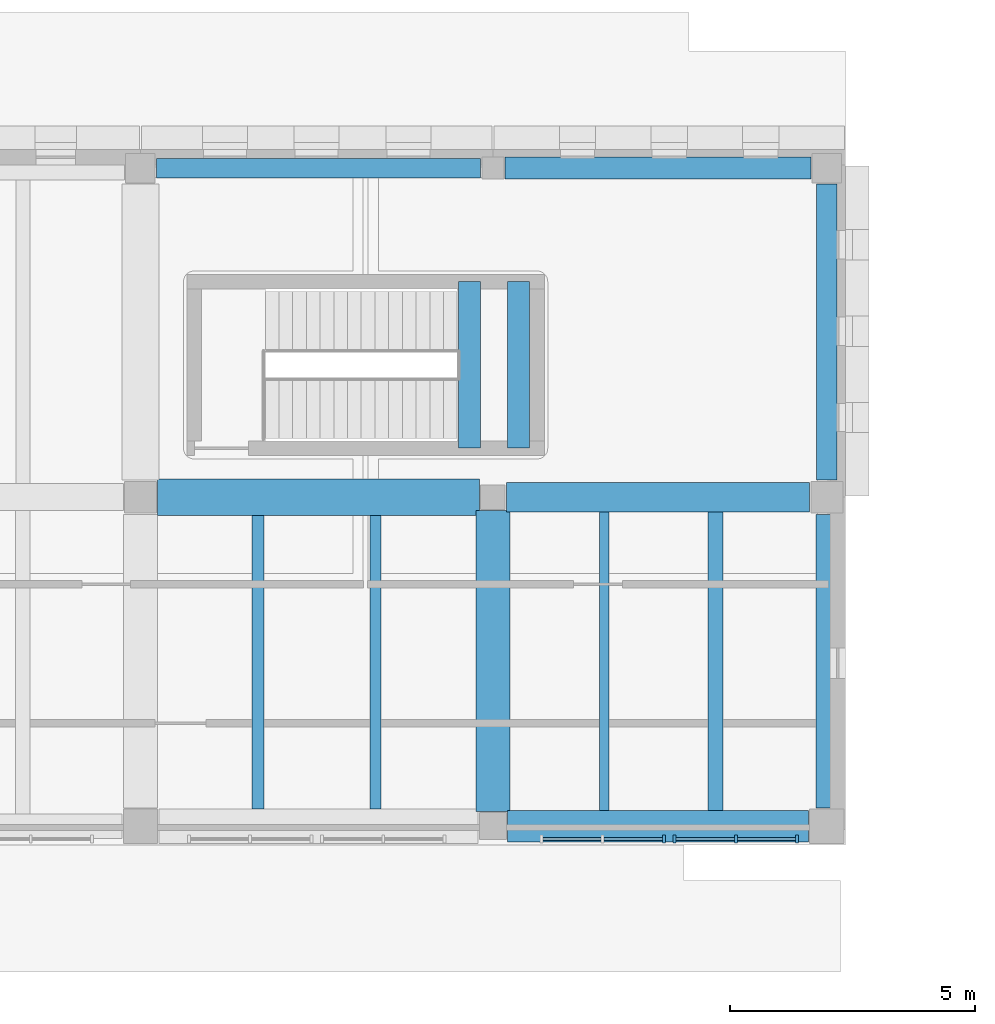
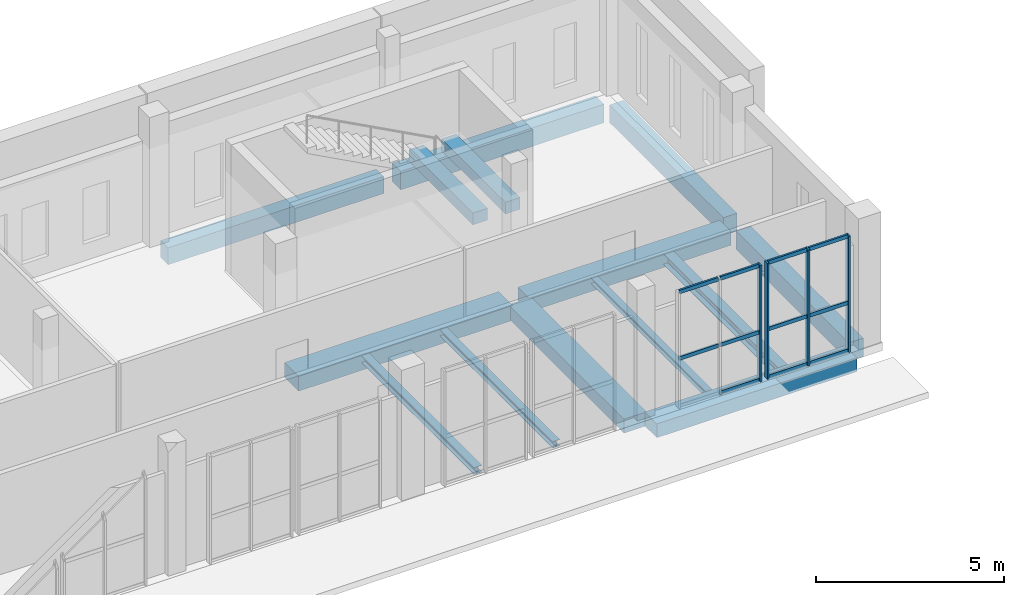
# One storey, part 25 of 77: 15 members, 14 beams, 2 elements without a shape of their own.
"""IFC4 building model written with IfcOpenShell, lengths in metres."""

from ifc_helpers import new_model, si_unit, direction, frame, origin, origin_2d, place, context, subcontext, project, spatial, rectangle, i_section, extrude, material, layer, layer_set, material_profile, profile_set, type_object, element, aggregate, save


model = new_model("IFC4")

# Units and contexts
model_context = context("Model", 3, precision=1e-05, world=origin(), true_north=direction((0.0, 1.0)))
body_context = subcontext(model_context, "Body", "Model", "MODEL_VIEW")
ifc_project = project(units=[si_unit("LENGTHUNIT", "METRE"), si_unit("AREAUNIT", "SQUARE_METRE"), si_unit("VOLUMEUNIT", "CUBIC_METRE"), si_unit("PLANEANGLEUNIT", "RADIAN"), si_unit("MASSUNIT", "GRAM", prefix="KILO")], contexts=[model_context])

# Site, building, storey
site_placement = place(None, origin())
site = spatial("IfcSite", under=ifc_project, at=site_placement, CompositionType="ELEMENT")
building_placement = place(site_placement, origin())
building = spatial("IfcBuilding", under=site, at=building_placement, Name="Vardoun Plaza Health Centre", CompositionType="ELEMENT")
storey_placement = place(building_placement, origin())
storey = spatial("IfcBuildingStorey", under=building, at=storey_placement, Name="L00", CompositionType="ELEMENT", Elevation=0.0)

# Beams
ifc_material_1 = material(Name="Concrete C35/45", Category="concrete")
ifc_material_profile_1 = material_profile(ifc_material_1, rectangle(XDim=0.39990234375, YDim=0.550048828125, at=origin_2d()), Name="RC-BM 400x550")
ifc_profile_set_1 = profile_set([ifc_material_profile_1], Name="Concrete C35/45")
beam_type_1 = type_object("IfcBeamType", Name="B-09", PredefinedType="SPANDREL", material=ifc_profile_set_1)
beam_1_placement = place(storey_placement, frame((33.625, 114.919921875, -0.5400390625), z_axis=(1.0, 0.0, 0.0), x_axis=(0.0, 1.0, 0.0)))
element("IfcBeam", 1, at=beam_1_placement, inside=storey, type_object=beam_type_1, Name="V3 L00 Beam B-V3-L00-X21", PredefinedType="SPANDREL", context=body_context, shape_type="SweptSolid", body=[
    extrude(rectangle(XDim=0.39990234375, YDim=0.550048828125, at=origin_2d()), origin(), (0.0, 0.0, 1.0), 6.625),
])
ifc_material_2 = material(Name="Concrete C35/45", Category="concrete")
ifc_material_profile_2 = material_profile(ifc_material_2, rectangle(XDim=0.419921875, YDim=0.580078125, at=origin_2d()), Name="RC-BM 420x580")
ifc_profile_set_2 = profile_set([ifc_material_profile_2], Name="Concrete C35/45")
beam_type_2 = type_object("IfcBeamType", Name="B-10", PredefinedType="SPANDREL", material=ifc_profile_set_2)
beam_2_placement = place(storey_placement, frame((47.320068359375, 108.550048828125, -0.554931640625), z_axis=(0.0, 1.0, 0.0), x_axis=(-1.0, 0.0, 0.0)))
element("IfcBeam", 2, at=beam_2_placement, inside=storey, type_object=beam_type_2, Name="V3 L00 Beam B-V3-L00-Y45", PredefinedType="SPANDREL", context=body_context, shape_type="SweptSolid", body=[
    extrude(rectangle(XDim=0.419921875, YDim=0.580078125, at=origin_2d()), origin(), (0.0, 0.0, 1.0), 6.044921875),
])
ifc_material_3 = material(Name="Concrete C35/45", Category="concrete")
ifc_material_profile_3 = material_profile(ifc_material_3, rectangle(XDim=0.449951171875, YDim=0.3798828125, at=origin_2d()), Name="RC-BM 450x380")
ifc_profile_set_3 = profile_set([ifc_material_profile_3], Name="Concrete C35/45")
beam_type_3 = type_object("IfcBeamType", Name="B-01", PredefinedType="BEAM", material=ifc_profile_set_3)
for number, where, z_axis, x_axis, name in (
    (3, (40.02001953125, 109.199951171875, 1.860107421875), (0.0, 1.0, 0.0), (-1.0, 0.0, 0.0), "Stair ST-C4-L00 Landing Beam 1"),
    (4, (41.02001953125, 109.199951171875, 1.860107421875), (0.0, 1.0, 0.0), (-1.0, 0.0, 0.0), "Stair ST-C4-L00 Landing Beam 2"),
):
    element("IfcBeam", number, at=place(storey_placement, frame(where, z_axis=z_axis, x_axis=x_axis)), inside=storey, type_object=beam_type_3, Name=name, PredefinedType="BEAM", context=body_context, shape_type="SweptSolid", body=[
        extrude(rectangle(XDim=0.449951171875, YDim=0.3798828125, at=origin_2d()), origin(), (0.0, 0.0, 1.0), 3.400146484375),
    ])
ifc_material_4 = material(Name="Concrete C35/45", Category="concrete")
ifc_material_profile_4 = material_profile(ifc_material_4, rectangle(XDim=0.449951171875, YDim=0.60009765625, at=origin_2d()), Name="RC-BM 450x600")
ifc_profile_set_4 = profile_set([ifc_material_profile_4], Name="Concrete C35/45")
beam_type_4 = type_object("IfcBeamType", Name="B-11", PredefinedType="SPANDREL", material=ifc_profile_set_4)
beam_3_placement = place(storey_placement, frame((40.75, 114.919921875, -0.56494140625), z_axis=(1.0, 0.0, 0.0), x_axis=(0.0, 1.0, 0.0)))
element("IfcBeam", 5, at=beam_3_placement, inside=storey, type_object=beam_type_4, Name="V3 L00 Beam B-V3-L00-X24", PredefinedType="SPANDREL", context=body_context, shape_type="SweptSolid", body=[
    extrude(rectangle(XDim=0.449951171875, YDim=0.60009765625, at=origin_2d()), origin(), (0.0, 0.0, 1.0), 6.2451171875),
])
beam_4_placement = place(storey_placement, frame((47.320068359375, 101.85498046875, -0.56494140625), z_axis=(0.0, 1.0, 0.0), x_axis=(-1.0, 0.0, 0.0)))
element("IfcBeam", 6, at=beam_4_placement, inside=storey, type_object=beam_type_4, Name="V3 L00 Beam B-V3-L00-Y44", PredefinedType="SPANDREL", context=body_context, shape_type="SweptSolid", body=[
    extrude(rectangle(XDim=0.449951171875, YDim=0.60009765625, at=origin_2d()), origin(), (0.0, 0.0, 1.0), 5.9951171875),
])
ifc_material_5 = material(Name="Concrete C35/45", Category="concrete")
ifc_material_profile_5 = material_profile(ifc_material_5, rectangle(XDim=0.60009765625, YDim=0.449951171875, at=origin_2d()), Name="RC-BM 600x450")
ifc_profile_set_5 = profile_set([ifc_material_profile_5], Name="Concrete C35/45")
beam_type_5 = type_object("IfcBeamType", Name="B-04", PredefinedType="BEAM", material=ifc_profile_set_5)
beam_5_placement = place(storey_placement, frame((40.775146484375, 108.199951171875, -0.489990234375), z_axis=(1.0, 0.0, 0.0), x_axis=(0.0, 1.0, 0.0)))
element("IfcBeam", 7, at=beam_5_placement, inside=storey, type_object=beam_type_5, Name="V3 L00 Beam B-V3-L00-X23", PredefinedType="BEAM", context=body_context, shape_type="SweptSolid", body=[
    extrude(rectangle(XDim=0.60009765625, YDim=0.449951171875, at=origin_2d()), origin(), (0.0, 0.0, 1.0), 6.19482421875),
])
ifc_material_6 = material(Name="Concrete C35/45", Category="concrete")
ifc_material_profile_6 = material_profile(ifc_material_6, rectangle(XDim=0.64990234375, YDim=0.449951171875, at=origin_2d()), Name="RC-BM 650x450")
ifc_profile_set_6 = profile_set([ifc_material_profile_6], Name="Concrete C35/45")
beam_type_6 = type_object("IfcBeamType", Name="B-05", PredefinedType="BEAM", material=ifc_profile_set_6)
beam_6_placement = place(storey_placement, frame((40.800048828125, 101.47998046875, -0.489990234375), z_axis=(1.0, 0.0, 0.0), x_axis=(0.0, 1.0, 0.0)))
element("IfcBeam", 8, at=beam_6_placement, inside=storey, type_object=beam_type_6, Name="V3 L00 Beam B-V3-L00-X22", PredefinedType="BEAM", context=body_context, shape_type="SweptSolid", body=[
    extrude(rectangle(XDim=0.64990234375, YDim=0.449951171875, at=origin_2d()), origin(), (0.0, 0.0, 1.0), 6.14501953125),
])
ifc_material_7 = material(Name="Concrete C35/45", Category="concrete")
ifc_material_profile_7 = material_profile(ifc_material_7, rectangle(XDim=0.699951171875, YDim=0.449951171875, at=origin_2d()), Name="RC-BM 700x450")
ifc_profile_set_7 = profile_set([ifc_material_profile_7], Name="Concrete C35/45")
beam_type_7 = type_object("IfcBeamType", Name="B-06", PredefinedType="BEAM", material=ifc_profile_set_7)
beam_7_placement = place(storey_placement, frame((40.5, 101.780029296875, -0.489990234375), z_axis=(0.0, 1.0, 0.0), x_axis=(-1.0, 0.0, 0.0)))
element("IfcBeam", 9, at=beam_7_placement, inside=storey, type_object=beam_type_7, Name="V3 L00 Beam B-V3-L00-Y43", PredefinedType="BEAM", context=body_context, shape_type="SweptSolid", body=[
    extrude(rectangle(XDim=0.699951171875, YDim=0.449951171875, at=origin_2d()), origin(), (0.0, 0.0, 1.0), 6.14501953125),
])
ifc_material_8 = material(Name="Concrete C35/45", Category="concrete")
ifc_material_profile_8 = material_profile(ifc_material_8, rectangle(XDim=0.75, YDim=0.47998046875, at=origin_2d()), Name="RC-BM 750x480")
ifc_profile_set_8 = profile_set([ifc_material_profile_8], Name="Concrete C35/45")
beam_type_8 = type_object("IfcBeamType", Name="B-07", PredefinedType="BEAM", material=ifc_profile_set_8)
beam_8_placement = place(storey_placement, frame((33.650146484375, 108.199951171875, -0.5048828125), z_axis=(1.0, 0.0, 0.0), x_axis=(0.0, 1.0, 0.0)))
element("IfcBeam", 10, at=beam_8_placement, inside=storey, type_object=beam_type_8, Name="V3 L00 Beam B-V3-L00-X20", PredefinedType="BEAM", context=body_context, shape_type="SweptSolid", body=[
    extrude(rectangle(XDim=0.75, YDim=0.47998046875, at=origin_2d()), origin(), (0.0, 0.0, 1.0), 6.574951171875),
])
ifc_material_9 = material(Name="Steel S355J2", Category="steel")
ifc_material_profile_9 = material_profile(ifc_material_9, i_section(OverallWidth=0.199951171875, OverallDepth=0.18994140625, WebThickness=0.006591796875, FlangeThickness=0.010009765625, FilletRadius=0.01806640625, at=origin_2d()), Name="HEA 200")
ifc_profile_set_9 = profile_set([ifc_material_profile_9], Name="Steel S355J2")
beam_type_9 = type_object("IfcBeamType", Name="SB-09", PredefinedType="BEAM", material=ifc_profile_set_9)
beam_9_placement = place(storey_placement, frame((42.773193359375, 101.804931640625, -0.360107421875), z_axis=(0.0, 1.0, 0.0), x_axis=(-1.0, 0.0, 0.0)))
element("IfcBeam", 11, at=beam_9_placement, inside=storey, type_object=beam_type_9, Name="V3 L00 Secondary Floor Beam SJ-V3-L00-27", PredefinedType="BEAM", context=body_context, shape_type="SweptSolid", body=[
    extrude(i_section(OverallWidth=0.199951171875, OverallDepth=0.18994140625, WebThickness=0.006591796875, FlangeThickness=0.010009765625, FilletRadius=0.01806640625, at=origin_2d()), origin(), (0.0, 0.0, 1.0), 6.09521484375),
])
ifc_material_10 = material(Name="Steel S355J2", Category="steel")
ifc_material_profile_10 = material_profile(ifc_material_10, i_section(OverallWidth=0.219970703125, OverallDepth=0.2099609375, WebThickness=0.007080078125, FlangeThickness=0.010986328125, FilletRadius=0.01806640625, at=origin_2d()), Name="HEA 220")
ifc_profile_set_10 = profile_set([ifc_material_profile_10], Name="Steel S355J2")
beam_type_10 = type_object("IfcBeamType", Name="SB-08", PredefinedType="BEAM", material=ifc_profile_set_10)
beam_10_placement = place(storey_placement, frame((38.10009765625, 101.830078125, -0.3701171875), z_axis=(0.0, 1.0, 0.0), x_axis=(-1.0, 0.0, 0.0)))
element("IfcBeam", 12, at=beam_10_placement, inside=storey, type_object=beam_type_10, Name="V3 L00 Secondary Floor Beam SJ-V3-L00-26", PredefinedType="BEAM", context=body_context, shape_type="SweptSolid", body=[
    extrude(i_section(OverallWidth=0.219970703125, OverallDepth=0.2099609375, WebThickness=0.007080078125, FlangeThickness=0.010986328125, FilletRadius=0.01806640625, at=origin_2d()), origin(), (0.0, 0.0, 1.0), 5.994873046875),
])
ifc_material_11 = material(Name="Steel S355J2", Category="steel")
ifc_material_profile_11 = material_profile(ifc_material_11, i_section(OverallWidth=0.239990234375, OverallDepth=0.22998046875, WebThickness=0.007568359375, FlangeThickness=0.011962890625, FilletRadius=0.02099609375, at=origin_2d()), Name="HEA 240")
ifc_profile_set_11 = profile_set([ifc_material_profile_11], Name="Steel S355J2")
beam_type_11 = type_object("IfcBeamType", Name="SB-07", PredefinedType="BEAM", material=ifc_profile_set_11)
beam_11_placement = place(storey_placement, frame((35.69970703125, 101.830078125, -0.3798828125), z_axis=(0.0, 1.0, 0.0), x_axis=(-1.0, 0.0, 0.0)))
element("IfcBeam", 13, at=beam_11_placement, inside=storey, type_object=beam_type_11, Name="V3 L00 Secondary Floor Beam SJ-V3-L00-25", PredefinedType="BEAM", context=body_context, shape_type="SweptSolid", body=[
    extrude(i_section(OverallWidth=0.239990234375, OverallDepth=0.22998046875, WebThickness=0.007568359375, FlangeThickness=0.011962890625, FilletRadius=0.02099609375, at=origin_2d()), origin(), (0.0, 0.0, 1.0), 5.994873046875),
])
ifc_material_12 = material(Name="Steel S355J2", Category="steel")
ifc_material_profile_12 = material_profile(ifc_material_12, i_section(OverallWidth=0.300048828125, OverallDepth=0.360107421875, WebThickness=0.012451171875, FlangeThickness=0.0224609375, FilletRadius=0.027099609375, at=origin_2d()), Name="HEB 360")
ifc_profile_set_12 = profile_set([ifc_material_profile_12], Name="Steel S355J2")
beam_type_12 = type_object("IfcBeamType", Name="RB-04", PredefinedType="BEAM", material=ifc_profile_set_12)
beam_12_placement = place(storey_placement, frame((45.046875, 101.804931640625, -0.445068359375), z_axis=(0.0, 1.0, 0.0), x_axis=(-1.0, 0.0, 0.0)))
element("IfcBeam", 14, at=beam_12_placement, inside=storey, type_object=beam_type_12, Name="V3 L00 Secondary Floor Beam SJ-V3-L00-28", PredefinedType="BEAM", context=body_context, shape_type="SweptSolid", body=[
    extrude(i_section(OverallWidth=0.300048828125, OverallDepth=0.360107421875, WebThickness=0.012451171875, FlangeThickness=0.0224609375, FilletRadius=0.027099609375, at=origin_2d()), origin(), (0.0, 0.0, 1.0), 6.09521484375),
])

# Curtain wall, members
ifc_material_13 = material(Name="Aluminium Alloy EN AW-6063-T6 and Low-E Glass", Category="aluminium")
ifc_layer = layer(ifc_material_13, 0.159912109375)
ifc_layer_set = layer_set([ifc_layer], Name="Aluminium Alloy EN AW-6063-T6 and Low-E Glass")
curtain_wall_type = type_object("IfcCurtainWallType", Name="CW-02", PredefinedType="USERDEFINED", material=ifc_layer_set)
curtain_wall_1_placement = place(storey_placement, origin())
curtain_wall_1 = element("IfcCurtainWall", 15, at=curtain_wall_1_placement, inside=storey, type_object=curtain_wall_type, Name="Curtain Wall CW-V3-045", ObjectType="COURTYARD_CURTAIN_WALL", PredefinedType="USERDEFINED")
ifc_material_14 = material(Name="Aluminium Alloy EN AW-6063-T6", Category="aluminium")
ifc_material_profile_13 = material_profile(ifc_material_14, rectangle(XDim=0.159912109375, YDim=0.06005859375, at=origin_2d()), Name="CWM 60x160")
ifc_profile_set_13 = profile_set([ifc_material_profile_13], Name="Aluminium Alloy EN AW-6063-T6")
member_type_1 = type_object("IfcMemberType", Name="CW-M1", PredefinedType="MULLION", material=ifc_profile_set_13)
member_1_placement = place(storey_placement, frame((46.7099609375, 101.219970703125, 0.0), z_axis=(0.0, 0.0, 1.0), x_axis=(0.0, -1.0, 0.0)))
member_1 = element("IfcMember", 16, at=member_1_placement, type_object=member_type_1, Name="CW-V3-045 mullion 1", PredefinedType="MULLION", context=body_context, shape_type="SweptSolid", body=[
    extrude(rectangle(XDim=0.159912109375, YDim=0.06005859375, at=origin_2d()), origin(), (0.0, 0.0, 1.0), 3.77001953125),
])
member_2_placement = place(storey_placement, frame((45.4599609375, 101.219970703125, 0.0), z_axis=(0.0, 0.0, 1.0), x_axis=(0.0, -1.0, 0.0)))
member_2 = element("IfcMember", 17, at=member_2_placement, type_object=member_type_1, Name="CW-V3-045 mullion 2", PredefinedType="MULLION", context=body_context, shape_type="SweptSolid", body=[
    extrude(rectangle(XDim=0.159912109375, YDim=0.06005859375, at=origin_2d()), origin(), (0.0, 0.0, 1.0), 3.77001953125),
])
member_3_placement = place(storey_placement, frame((44.2099609375, 101.219970703125, 0.0), z_axis=(0.0, 0.0, 1.0), x_axis=(0.0, -1.0, 0.0)))
member_3 = element("IfcMember", 18, at=member_3_placement, type_object=member_type_1, Name="CW-V3-045 mullion 3", PredefinedType="MULLION", context=body_context, shape_type="SweptSolid", body=[
    extrude(rectangle(XDim=0.159912109375, YDim=0.06005859375, at=origin_2d()), origin(), (0.0, 0.0, 1.0), 3.77001953125),
])

# Curtain wall, member
curtain_wall_2_placement = place(storey_placement, origin())
curtain_wall_2 = element("IfcCurtainWall", 19, at=curtain_wall_2_placement, inside=storey, type_object=curtain_wall_type, Name="Curtain Wall CW-V3-046", ObjectType="COURTYARD_CURTAIN_WALL", PredefinedType="USERDEFINED")
member_4_placement = place(storey_placement, frame((43.989990234375, 101.219970703125, 0.0), z_axis=(0.0, 0.0, 1.0), x_axis=(0.0, -1.0, 0.0)))
member_4 = element("IfcMember", 20, at=member_4_placement, type_object=member_type_1, Name="CW-V3-046 mullion 1", PredefinedType="MULLION", context=body_context, shape_type="SweptSolid", body=[
    extrude(rectangle(XDim=0.159912109375, YDim=0.06005859375, at=origin_2d()), origin(), (0.0, 0.0, 1.0), 3.77001953125),
])

# Member
ifc_material_15 = material(Name="Aluminium Alloy EN AW-6063-T6", Category="aluminium")
ifc_material_profile_14 = material_profile(ifc_material_15, rectangle(XDim=0.06005859375, YDim=0.1201171875, at=origin_2d()), Name="CWT 60x120")
ifc_profile_set_14 = profile_set([ifc_material_profile_14], Name="Aluminium Alloy EN AW-6063-T6")
member_type_2 = type_object("IfcMemberType", Name="CW-T1", PredefinedType="USERDEFINED", material=ifc_profile_set_14)
member_5_placement = place(storey_placement, frame((46.679931640625, 101.219970703125, 0.030029296875), z_axis=(-1.0, 0.0, 0.0), x_axis=(0.0, -1.0, 0.0)))
member_5 = element("IfcMember", 21, at=member_5_placement, type_object=member_type_2, Name="CW-V3-045 transom 1.1", ObjectType="TRANSOM", PredefinedType="USERDEFINED", context=body_context, shape_type="SweptSolid", body=[
    extrude(rectangle(XDim=0.06005859375, YDim=0.1201171875, at=origin_2d()), origin(), (0.0, 0.0, 1.0), 1.18994140625),
])

member_6_placement = place(storey_placement, frame((46.679931640625, 101.219970703125, 1.58349609375), z_axis=(-1.0, 0.0, 0.0), x_axis=(0.0, -1.0, 0.0)))
member_6 = element("IfcMember", 22, at=member_6_placement, type_object=member_type_2, Name="CW-V3-045 transom 1.2", ObjectType="TRANSOM", PredefinedType="USERDEFINED", context=body_context, shape_type="SweptSolid", body=[
    extrude(rectangle(XDim=0.06005859375, YDim=0.1201171875, at=origin_2d()), origin(), (0.0, 0.0, 1.0), 1.18994140625),
])

member_7_placement = place(storey_placement, frame((46.679931640625, 101.219970703125, 3.739990234375), z_axis=(-1.0, 0.0, 0.0), x_axis=(0.0, -1.0, 0.0)))
member_7 = element("IfcMember", 23, at=member_7_placement, type_object=member_type_2, Name="CW-V3-045 transom 1.3", ObjectType="TRANSOM", PredefinedType="USERDEFINED", context=body_context, shape_type="SweptSolid", body=[
    extrude(rectangle(XDim=0.06005859375, YDim=0.1201171875, at=origin_2d()), origin(), (0.0, 0.0, 1.0), 1.18994140625),
])

member_8_placement = place(storey_placement, frame((45.429931640625, 101.219970703125, 0.030029296875), z_axis=(-1.0, 0.0, 0.0), x_axis=(0.0, -1.0, 0.0)))
member_8 = element("IfcMember", 24, at=member_8_placement, type_object=member_type_2, Name="CW-V3-045 transom 2.1", ObjectType="TRANSOM", PredefinedType="USERDEFINED", context=body_context, shape_type="SweptSolid", body=[
    extrude(rectangle(XDim=0.06005859375, YDim=0.1201171875, at=origin_2d()), origin(), (0.0, 0.0, 1.0), 1.18994140625),
])

member_9_placement = place(storey_placement, frame((45.429931640625, 101.219970703125, 1.58349609375), z_axis=(-1.0, 0.0, 0.0), x_axis=(0.0, -1.0, 0.0)))
member_9 = element("IfcMember", 25, at=member_9_placement, type_object=member_type_2, Name="CW-V3-045 transom 2.2", ObjectType="TRANSOM", PredefinedType="USERDEFINED", context=body_context, shape_type="SweptSolid", body=[
    extrude(rectangle(XDim=0.06005859375, YDim=0.1201171875, at=origin_2d()), origin(), (0.0, 0.0, 1.0), 1.18994140625),
])

member_10_placement = place(storey_placement, frame((45.429931640625, 101.219970703125, 3.739990234375), z_axis=(-1.0, 0.0, 0.0), x_axis=(0.0, -1.0, 0.0)))
member_10 = element("IfcMember", 26, at=member_10_placement, type_object=member_type_2, Name="CW-V3-045 transom 2.3", ObjectType="TRANSOM", PredefinedType="USERDEFINED", context=body_context, shape_type="SweptSolid", body=[
    extrude(rectangle(XDim=0.06005859375, YDim=0.1201171875, at=origin_2d()), origin(), (0.0, 0.0, 1.0), 1.18994140625),
])

aggregate(curtain_wall_1, [member_1, member_2, member_3, member_5, member_6, member_7, member_8, member_9, member_10])

member_11_placement = place(storey_placement, frame((43.9599609375, 101.219970703125, 0.030029296875), z_axis=(-1.0, 0.0, 0.0), x_axis=(0.0, -1.0, 0.0)))
member_11 = element("IfcMember", 27, at=member_11_placement, type_object=member_type_2, Name="CW-V3-046 transom 1.1", ObjectType="TRANSOM", PredefinedType="USERDEFINED", context=body_context, shape_type="SweptSolid", body=[
    extrude(rectangle(XDim=0.06005859375, YDim=0.1201171875, at=origin_2d()), origin(), (0.0, 0.0, 1.0), 1.18994140625),
])

member_12_placement = place(storey_placement, frame((43.9599609375, 101.219970703125, 1.58349609375), z_axis=(-1.0, 0.0, 0.0), x_axis=(0.0, -1.0, 0.0)))
member_12 = element("IfcMember", 28, at=member_12_placement, type_object=member_type_2, Name="CW-V3-046 transom 1.2", ObjectType="TRANSOM", PredefinedType="USERDEFINED", context=body_context, shape_type="SweptSolid", body=[
    extrude(rectangle(XDim=0.06005859375, YDim=0.1201171875, at=origin_2d()), origin(), (0.0, 0.0, 1.0), 1.18994140625),
])

member_13_placement = place(storey_placement, frame((43.9599609375, 101.219970703125, 3.739990234375), z_axis=(-1.0, 0.0, 0.0), x_axis=(0.0, -1.0, 0.0)))
member_13 = element("IfcMember", 29, at=member_13_placement, type_object=member_type_2, Name="CW-V3-046 transom 1.3", ObjectType="TRANSOM", PredefinedType="USERDEFINED", context=body_context, shape_type="SweptSolid", body=[
    extrude(rectangle(XDim=0.06005859375, YDim=0.1201171875, at=origin_2d()), origin(), (0.0, 0.0, 1.0), 1.18994140625),
])

member_14_placement = place(storey_placement, frame((42.7099609375, 101.219970703125, 1.58349609375), z_axis=(-1.0, 0.0, 0.0), x_axis=(0.0, -1.0, 0.0)))
member_14 = element("IfcMember", 30, at=member_14_placement, type_object=member_type_2, Name="CW-V3-046 transom 2.2", ObjectType="TRANSOM", PredefinedType="USERDEFINED", context=body_context, shape_type="SweptSolid", body=[
    extrude(rectangle(XDim=0.06005859375, YDim=0.1201171875, at=origin_2d()), origin(), (0.0, 0.0, 1.0), 1.18994140625),
])

member_15_placement = place(storey_placement, frame((42.7099609375, 101.219970703125, 3.739990234375), z_axis=(-1.0, 0.0, 0.0), x_axis=(0.0, -1.0, 0.0)))
member_15 = element("IfcMember", 31, at=member_15_placement, type_object=member_type_2, Name="CW-V3-046 transom 2.3", ObjectType="TRANSOM", PredefinedType="USERDEFINED", context=body_context, shape_type="SweptSolid", body=[
    extrude(rectangle(XDim=0.06005859375, YDim=0.1201171875, at=origin_2d()), origin(), (0.0, 0.0, 1.0), 1.18994140625),
])

aggregate(curtain_wall_2, [member_4, member_11, member_12, member_13, member_14, member_15])

save(model, "model.ifc")
